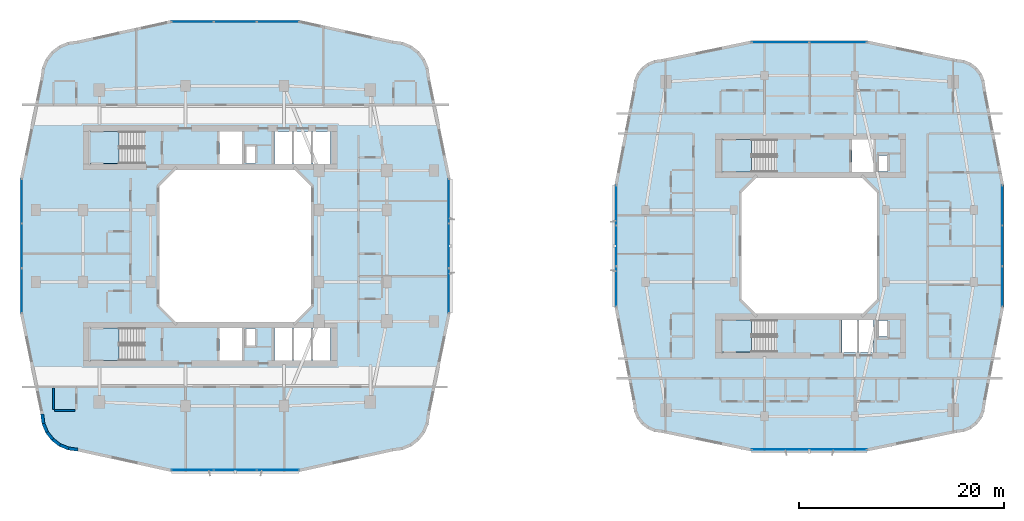
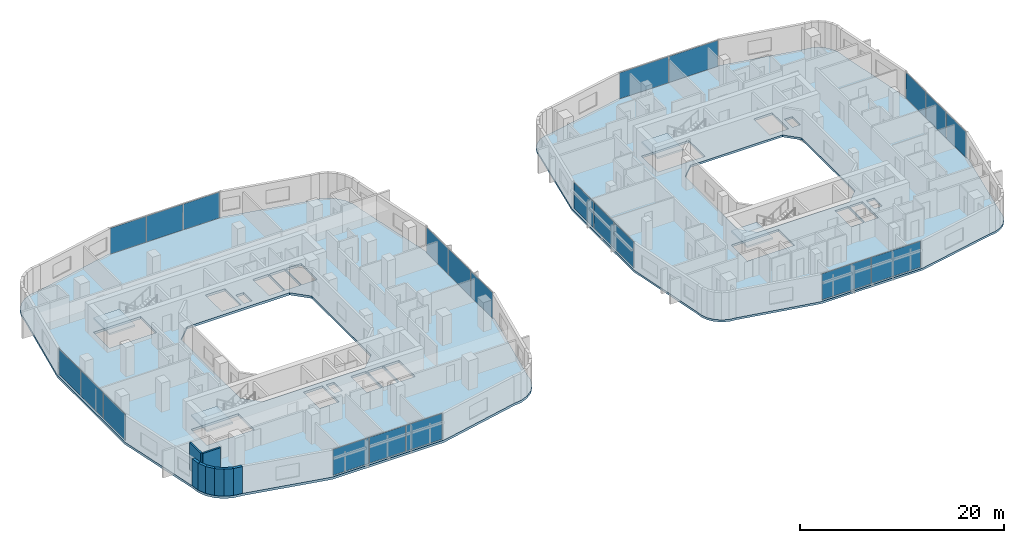
# One storey, part 12 of 26: 22 plates, 8 walls, 6 slabs, 12 elements without a shape of their own.
"""IFC4 building model written with IfcOpenShell, lengths in metres."""

from ifc_helpers import new_model, si_unit, derived_unit, direction, frame, frame_2d, origin, origin_2d, place, context, subcontext, project, spatial, polyline, rectangle, outline, extrude, material, layer, layer_set, type_object, element, aggregate, save


model = new_model("IFC4")

# Units and contexts
model_context = context("Model", 3, precision=1e-05, world=origin(), true_north=direction((0.0, 1.0)))
body_context = subcontext(model_context, "Body", "Model", "MODEL_VIEW")
ifc_project = project(units=[si_unit("LENGTHUNIT", "METRE"), si_unit("AREAUNIT", "SQUARE_METRE"), si_unit("VOLUMEUNIT", "CUBIC_METRE"), si_unit("PLANEANGLEUNIT", "RADIAN"), si_unit("MASSUNIT", "GRAM", prefix="KILO"), derived_unit("THERMALTRANSMITTANCEUNIT", [(si_unit("POWERUNIT", "WATT"), 1), (si_unit("LENGTHUNIT", "METRE"), -2), (si_unit("THERMODYNAMICTEMPERATUREUNIT", "KELVIN"), -1)])], contexts=[model_context])

# Site, building, storey
site_placement = place(None, origin())
site = spatial("IfcSite", under=ifc_project, at=site_placement, CompositionType="ELEMENT")
building_placement = place(site_placement, origin())
building = spatial("IfcBuilding", under=site, at=building_placement, Name="Kivonza Crest Hotel", CompositionType="ELEMENT")
storey_placement = place(building_placement, frame((0.0, 0.0, 55.5)))
storey = spatial("IfcBuildingStorey", under=building, at=storey_placement, Name="L14", CompositionType="ELEMENT", Elevation=55.5)

# Curtain wall, plates
ifc_material_1 = material(Name="Anodised bronze aluminium and low-E double glazing", Category="aluminium")
ifc_layer_1 = layer(ifc_material_1, 0.179931640625)
ifc_layer_set_1 = layer_set([ifc_layer_1], Name="Anodised bronze aluminium and low-E double glazing")
curtain_wall_type_1 = type_object("IfcCurtainWallType", Name="CW-SYS-2", PredefinedType="NOTDEFINED", material=ifc_layer_set_1)
curtain_wall_1_placement = place(storey_placement, origin())
curtain_wall_1 = element("IfcCurtainWall", 1, at=curtain_wall_1_placement, inside=storey, type_object=curtain_wall_type_1, Name="L14 unitised curtain wall CW-T1-L14-08", PredefinedType="NOTDEFINED")
ifc_material_2 = material(Name="Solar-control low-E double glazing", Category="glass")
ifc_layer_2 = layer(ifc_material_2, 0.028076171875)
ifc_layer_set_2 = layer_set([ifc_layer_2], Name="Solar-control low-E double glazing")
plate_type = type_object("IfcPlateType", Name="CW-PNL-28", PredefinedType="CURTAIN_PANEL", material=ifc_layer_set_2)
plate_1_placement = place(storey_placement, frame((16.890869140625, 3.159912109375, 0.06494140625), z_axis=(0.0, 0.0, 1.0), x_axis=(1.0, 0.0, 0.0)))
plate_1 = element("IfcPlate", 2, at=plate_1_placement, type_object=plate_type, Name="CW-2 panel 1.1", PredefinedType="CURTAIN_PANEL", context=body_context, shape_type="SweptSolid", body=[
    extrude(rectangle(XDim=4.06787109375, YDim=0.028076171875, at=origin_2d()), origin(), (0.0, 0.0, 1.0), 3.090087890625),
])
plate_2_placement = place(storey_placement, frame((21.0400390625, 3.159912109375, 0.06494140625), z_axis=(0.0, 0.0, 1.0), x_axis=(1.0, 0.0, 0.0)))
plate_2 = element("IfcPlate", 3, at=plate_2_placement, type_object=plate_type, Name="CW-2 panel 2.1", PredefinedType="CURTAIN_PANEL", context=body_context, shape_type="SweptSolid", body=[
    extrude(rectangle(XDim=4.100341796875, YDim=0.028076171875, at=origin_2d()), origin(), (0.0, 0.0, 1.0), 3.090087890625),
])
plate_3_placement = place(storey_placement, frame((25.18896484375, 3.159912109375, 0.06494140625), z_axis=(0.0, 0.0, 1.0), x_axis=(1.0, 0.0, 0.0)))
plate_3 = element("IfcPlate", 4, at=plate_3_placement, type_object=plate_type, Name="CW-2 panel 3.1", PredefinedType="CURTAIN_PANEL", context=body_context, shape_type="SweptSolid", body=[
    extrude(rectangle(XDim=4.06787109375, YDim=0.028076171875, at=origin_2d()), origin(), (0.0, 0.0, 1.0), 3.090087890625),
])
aggregate(curtain_wall_1, [plate_1, plate_2, plate_3])

curtain_wall_2_placement = place(storey_placement, origin())
curtain_wall_2 = element("IfcCurtainWall", 5, at=curtain_wall_2_placement, inside=storey, type_object=curtain_wall_type_1, Name="L14 unitised curtain wall CW-T1-L14-17", PredefinedType="NOTDEFINED")
plate_4_placement = place(storey_placement, frame((41.840087890625, 20.642822265625, 0.06494140625), z_axis=(0.0, 0.0, 1.0), x_axis=(0.0, 1.0, 0.0)))
plate_4 = element("IfcPlate", 6, at=plate_4_placement, type_object=plate_type, Name="CW-2 panel 1.1", PredefinedType="CURTAIN_PANEL", context=body_context, shape_type="SweptSolid", body=[
    extrude(rectangle(XDim=4.27587890625, YDim=0.028076171875, at=origin_2d()), origin(), (0.0, 0.0, 1.0), 3.090087890625),
])
plate_5_placement = place(storey_placement, frame((41.840087890625, 25.0, 0.06494140625), z_axis=(0.0, 0.0, 1.0), x_axis=(0.0, 1.0, 0.0)))
plate_5 = element("IfcPlate", 7, at=plate_5_placement, type_object=plate_type, Name="CW-2 panel 2.1", PredefinedType="CURTAIN_PANEL", context=body_context, shape_type="SweptSolid", body=[
    extrude(rectangle(XDim=4.308349609375, YDim=0.028076171875, at=origin_2d()), origin(), (0.0, 0.0, 1.0), 3.090087890625),
])
plate_6_placement = place(storey_placement, frame((41.840087890625, 29.357177734375, 0.06494140625), z_axis=(0.0, 0.0, 1.0), x_axis=(0.0, 1.0, 0.0)))
plate_6 = element("IfcPlate", 8, at=plate_6_placement, type_object=plate_type, Name="CW-2 panel 3.1", PredefinedType="CURTAIN_PANEL", context=body_context, shape_type="SweptSolid", body=[
    extrude(rectangle(XDim=4.27587890625, YDim=0.028076171875, at=origin_2d()), origin(), (0.0, 0.0, 1.0), 3.090087890625),
])
aggregate(curtain_wall_2, [plate_4, plate_5, plate_6])

curtain_wall_3_placement = place(storey_placement, origin())
curtain_wall_3 = element("IfcCurtainWall", 9, at=curtain_wall_3_placement, inside=storey, type_object=curtain_wall_type_1, Name="L14 unitised curtain wall CW-T1-L14-26", PredefinedType="NOTDEFINED")
plate_7_placement = place(storey_placement, frame((25.18896484375, 46.840087890625, 0.06494140625), z_axis=(0.0, 0.0, 1.0), x_axis=(-1.0, 0.0, 0.0)))
plate_7 = element("IfcPlate", 10, at=plate_7_placement, type_object=plate_type, Name="CW-2 panel 1.1", PredefinedType="CURTAIN_PANEL", context=body_context, shape_type="SweptSolid", body=[
    extrude(rectangle(XDim=4.06787109375, YDim=0.028076171875, at=origin_2d()), origin(), (0.0, 0.0, 1.0), 3.090087890625),
])
plate_8_placement = place(storey_placement, frame((21.0400390625, 46.840087890625, 0.06494140625), z_axis=(0.0, 0.0, 1.0), x_axis=(-1.0, 0.0, 0.0)))
plate_8 = element("IfcPlate", 11, at=plate_8_placement, type_object=plate_type, Name="CW-2 panel 2.1", PredefinedType="CURTAIN_PANEL", context=body_context, shape_type="SweptSolid", body=[
    extrude(rectangle(XDim=4.100341796875, YDim=0.028076171875, at=origin_2d()), origin(), (0.0, 0.0, 1.0), 3.090087890625),
])
plate_9_placement = place(storey_placement, frame((16.890869140625, 46.840087890625, 0.06494140625), z_axis=(0.0, 0.0, 1.0), x_axis=(-1.0, 0.0, 0.0)))
plate_9 = element("IfcPlate", 12, at=plate_9_placement, type_object=plate_type, Name="CW-2 panel 3.1", PredefinedType="CURTAIN_PANEL", context=body_context, shape_type="SweptSolid", body=[
    extrude(rectangle(XDim=4.06787109375, YDim=0.028076171875, at=origin_2d()), origin(), (0.0, 0.0, 1.0), 3.090087890625),
])
aggregate(curtain_wall_3, [plate_7, plate_8, plate_9])

curtain_wall_4_placement = place(storey_placement, origin())
curtain_wall_4 = element("IfcCurtainWall", 13, at=curtain_wall_4_placement, inside=storey, type_object=curtain_wall_type_1, Name="L14 unitised curtain wall CW-T1-L14-35", PredefinedType="NOTDEFINED")
plate_10_placement = place(storey_placement, frame((0.239990234375, 29.357177734375, 0.06494140625), z_axis=(0.0, 0.0, 1.0), x_axis=(0.0, -1.0, 0.0)))
plate_10 = element("IfcPlate", 14, at=plate_10_placement, type_object=plate_type, Name="CW-2 panel 1.1", PredefinedType="CURTAIN_PANEL", context=body_context, shape_type="SweptSolid", body=[
    extrude(rectangle(XDim=4.27587890625, YDim=0.028076171875, at=origin_2d()), origin(), (0.0, 0.0, 1.0), 3.090087890625),
])
plate_11_placement = place(storey_placement, frame((0.239990234375, 25.0, 0.06494140625), z_axis=(0.0, 0.0, 1.0), x_axis=(0.0, -1.0, 0.0)))
plate_11 = element("IfcPlate", 15, at=plate_11_placement, type_object=plate_type, Name="CW-2 panel 2.1", PredefinedType="CURTAIN_PANEL", context=body_context, shape_type="SweptSolid", body=[
    extrude(rectangle(XDim=4.308349609375, YDim=0.028076171875, at=origin_2d()), origin(), (0.0, 0.0, 1.0), 3.090087890625),
])
plate_12_placement = place(storey_placement, frame((0.239990234375, 20.642822265625, 0.06494140625), z_axis=(0.0, 0.0, 1.0), x_axis=(0.0, -1.0, 0.0)))
plate_12 = element("IfcPlate", 16, at=plate_12_placement, type_object=plate_type, Name="CW-2 panel 3.1", PredefinedType="CURTAIN_PANEL", context=body_context, shape_type="SweptSolid", body=[
    extrude(rectangle(XDim=4.27587890625, YDim=0.028076171875, at=origin_2d()), origin(), (0.0, 0.0, 1.0), 3.090087890625),
])
aggregate(curtain_wall_4, [plate_10, plate_11, plate_12])

ifc_layer_3 = layer(ifc_material_1, 0.179931640625)
ifc_layer_set_3 = layer_set([ifc_layer_3], Name="Anodised bronze aluminium and low-E double glazing")
curtain_wall_type_2 = type_object("IfcCurtainWallType", Name="CW-SYS-4", PredefinedType="NOTDEFINED", material=ifc_layer_set_3)
curtain_wall_5_placement = place(storey_placement, origin())
curtain_wall_5 = element("IfcCurtainWall", 17, at=curtain_wall_5_placement, inside=storey, type_object=curtain_wall_type_2, Name="L14 unitised curtain wall CW-T2-L14-08", PredefinedType="NOTDEFINED")
plate_13_placement = place(storey_placement, frame((74.15234375, 5.159912109375, 0.06494140625), z_axis=(0.0, 0.0, 1.0), x_axis=(1.0, 0.0, 0.0)))
plate_13 = element("IfcPlate", 18, at=plate_13_placement, type_object=plate_type, Name="CW-4 panel 1.1", PredefinedType="CURTAIN_PANEL", context=body_context, shape_type="SweptSolid", body=[
    extrude(rectangle(XDim=5.550537109375, YDim=0.028076171875, at=origin_2d()), origin(), (0.0, 0.0, 1.0), 3.1201171875),
])
plate_14_placement = place(storey_placement, frame((79.767822265625, 5.159912109375, 0.06494140625), z_axis=(0.0, 0.0, 1.0), x_axis=(1.0, 0.0, 0.0)))
plate_14 = element("IfcPlate", 19, at=plate_14_placement, type_object=plate_type, Name="CW-4 panel 2.1", PredefinedType="CURTAIN_PANEL", context=body_context, shape_type="SweptSolid", body=[
    extrude(rectangle(XDim=5.550537109375, YDim=0.028076171875, at=origin_2d()), origin(), (0.0, 0.0, 1.0), 3.1201171875),
])
aggregate(curtain_wall_5, [plate_13, plate_14])

curtain_wall_6_placement = place(storey_placement, origin())
curtain_wall_6 = element("IfcCurtainWall", 20, at=curtain_wall_6_placement, inside=storey, type_object=curtain_wall_type_2, Name="L14 unitised curtain wall CW-T2-L14-17", PredefinedType="NOTDEFINED")
plate_15_placement = place(storey_placement, frame((95.760009765625, 21.04296875, 0.06494140625), z_axis=(0.0, 0.0, 1.0), x_axis=(0.0, 1.0, 0.0)))
plate_15 = element("IfcPlate", 21, at=plate_15_placement, type_object=plate_type, Name="CW-4 panel 1.1", PredefinedType="CURTAIN_PANEL", context=body_context, shape_type="SweptSolid", body=[
    extrude(rectangle(XDim=3.875732421875, YDim=0.028076171875, at=origin_2d()), origin(), (0.0, 0.0, 1.0), 3.1201171875),
])
plate_16_placement = place(storey_placement, frame((95.760009765625, 25.0, 0.06494140625), z_axis=(0.0, 0.0, 1.0), x_axis=(0.0, 1.0, 0.0)))
plate_16 = element("IfcPlate", 22, at=plate_16_placement, type_object=plate_type, Name="CW-4 panel 2.1", PredefinedType="CURTAIN_PANEL", context=body_context, shape_type="SweptSolid", body=[
    extrude(rectangle(XDim=3.908447265625, YDim=0.028076171875, at=origin_2d()), origin(), (0.0, 0.0, 1.0), 3.1201171875),
])
plate_17_placement = place(storey_placement, frame((95.760009765625, 28.95703125, 0.06494140625), z_axis=(0.0, 0.0, 1.0), x_axis=(0.0, 1.0, 0.0)))
plate_17 = element("IfcPlate", 23, at=plate_17_placement, type_object=plate_type, Name="CW-4 panel 3.1", PredefinedType="CURTAIN_PANEL", context=body_context, shape_type="SweptSolid", body=[
    extrude(rectangle(XDim=3.875732421875, YDim=0.028076171875, at=origin_2d()), origin(), (0.0, 0.0, 1.0), 3.1201171875),
])
aggregate(curtain_wall_6, [plate_15, plate_16, plate_17])

curtain_wall_7_placement = place(storey_placement, origin())
curtain_wall_7 = element("IfcCurtainWall", 24, at=curtain_wall_7_placement, inside=storey, type_object=curtain_wall_type_2, Name="L14 unitised curtain wall CW-T2-L14-26", PredefinedType="NOTDEFINED")
plate_18_placement = place(storey_placement, frame((79.767822265625, 44.840087890625, 0.06494140625), z_axis=(0.0, 0.0, 1.0), x_axis=(-1.0, 0.0, 0.0)))
plate_18 = element("IfcPlate", 25, at=plate_18_placement, type_object=plate_type, Name="CW-4 panel 1.1", PredefinedType="CURTAIN_PANEL", context=body_context, shape_type="SweptSolid", body=[
    extrude(rectangle(XDim=5.550537109375, YDim=0.028076171875, at=origin_2d()), origin(), (0.0, 0.0, 1.0), 3.1201171875),
])
plate_19_placement = place(storey_placement, frame((74.15234375, 44.840087890625, 0.06494140625), z_axis=(0.0, 0.0, 1.0), x_axis=(-1.0, 0.0, 0.0)))
plate_19 = element("IfcPlate", 26, at=plate_19_placement, type_object=plate_type, Name="CW-4 panel 2.1", PredefinedType="CURTAIN_PANEL", context=body_context, shape_type="SweptSolid", body=[
    extrude(rectangle(XDim=5.550537109375, YDim=0.028076171875, at=origin_2d()), origin(), (0.0, 0.0, 1.0), 3.1201171875),
])
aggregate(curtain_wall_7, [plate_18, plate_19])

curtain_wall_8_placement = place(storey_placement, origin())
curtain_wall_8 = element("IfcCurtainWall", 27, at=curtain_wall_8_placement, inside=storey, type_object=curtain_wall_type_2, Name="L14 unitised curtain wall CW-T2-L14-35", PredefinedType="NOTDEFINED")
plate_20_placement = place(storey_placement, frame((58.159912109375, 28.95703125, 0.06494140625), z_axis=(0.0, 0.0, 1.0), x_axis=(0.0, -1.0, 0.0)))
plate_20 = element("IfcPlate", 28, at=plate_20_placement, type_object=plate_type, Name="CW-4 panel 1.1", PredefinedType="CURTAIN_PANEL", context=body_context, shape_type="SweptSolid", body=[
    extrude(rectangle(XDim=3.875732421875, YDim=0.028076171875, at=origin_2d()), origin(), (0.0, 0.0, 1.0), 3.1201171875),
])
plate_21_placement = place(storey_placement, frame((58.159912109375, 25.0, 0.06494140625), z_axis=(0.0, 0.0, 1.0), x_axis=(0.0, -1.0, 0.0)))
plate_21 = element("IfcPlate", 29, at=plate_21_placement, type_object=plate_type, Name="CW-4 panel 2.1", PredefinedType="CURTAIN_PANEL", context=body_context, shape_type="SweptSolid", body=[
    extrude(rectangle(XDim=3.908447265625, YDim=0.028076171875, at=origin_2d()), origin(), (0.0, 0.0, 1.0), 3.1201171875),
])
plate_22_placement = place(storey_placement, frame((58.159912109375, 21.04296875, 0.06494140625), z_axis=(0.0, 0.0, 1.0), x_axis=(0.0, -1.0, 0.0)))
plate_22 = element("IfcPlate", 30, at=plate_22_placement, type_object=plate_type, Name="CW-4 panel 3.1", PredefinedType="CURTAIN_PANEL", context=body_context, shape_type="SweptSolid", body=[
    extrude(rectangle(XDim=3.875732421875, YDim=0.028076171875, at=origin_2d()), origin(), (0.0, 0.0, 1.0), 3.1201171875),
])
aggregate(curtain_wall_8, [plate_20, plate_21, plate_22])

# Slab
ifc_material_3 = material(Name="Concrete C40/50", Category="concrete")
ifc_layer_4 = layer(ifc_material_3, 0.280029296875)
ifc_layer_set_4 = layer_set([ifc_layer_4], Name="Concrete C40/50")
slab_type_1 = type_object("IfcSlabType", Name="SL-HTL-280", PredefinedType="FLOOR", material=ifc_layer_set_4)
slab_1_placement = place(storey_placement, frame((0.0, 0.0, -0.280029296875)))
element("IfcSlab", 31, at=slab_1_placement, inside=storey, type_object=slab_type_1, Name="Tower T1 L14 floor slab", PredefinedType="FLOOR", context=body_context, shape_type="SweptSolid", body=[
    extrude(outline(polyline([(2.080078125, 8.60009765625), (2.202880859375, 7.66796875), (2.56201171875, 6.800048828125), (3.134033203125, 6.053955078125), (3.8798828125, 5.48193359375), (4.748046875, 5.123046875), (5.679931640625, 5.0), (14.751953125, 3.0), (27.327880859375, 3.0), (36.39990234375, 5.0), (37.33203125, 5.123046875), (38.199951171875, 5.48193359375), (38.946044921875, 6.053955078125), (39.51806640625, 6.800048828125), (39.876953125, 7.66796875), (40.0, 8.60009765625), (42.0, 18.39990234375), (42.0, 31.60009765625), (40.0, 41.39990234375), (39.876953125, 42.33203125), (39.51806640625, 43.199951171875), (38.946044921875, 43.946044921875), (38.199951171875, 44.51806640625), (37.33203125, 44.876953125), (36.39990234375, 45.0), (27.327880859375, 47.0), (14.751953125, 47.0), (5.679931640625, 45.0), (4.748046875, 44.876953125), (3.8798828125, 44.51806640625), (3.134033203125, 43.946044921875), (2.56201171875, 43.199951171875), (2.202880859375, 42.33203125), (2.080078125, 41.39990234375), (0.080078125, 31.60009765625), (0.080078125, 18.39990234375), (2.080078125, 8.60009765625)]), holes=[polyline([(15.239990234375, 17.60009765625), (26.840087890625, 17.60009765625), (28.43994140625, 19.199951171875), (28.43994140625, 30.800048828125), (26.840087890625, 32.39990234375), (15.239990234375, 32.39990234375), (13.639892578125, 30.800048828125), (13.639892578125, 19.199951171875), (15.239990234375, 17.60009765625)]), polyline([(6.800048828125, 33.02001953125), (12.159912109375, 33.02001953125), (12.159912109375, 36.159912109375), (6.800048828125, 36.159912109375), (6.800048828125, 33.02001953125)]), polyline([(6.800048828125, 13.860107421875), (12.159912109375, 13.860107421875), (12.159912109375, 17.0), (6.800048828125, 17.0), (6.800048828125, 13.860107421875)]), polyline([(22.080078125, 33.0400390625), (22.969970703125, 33.0400390625), (22.969970703125, 34.679931640625), (22.080078125, 34.679931640625), (22.080078125, 33.0400390625)]), polyline([(22.080078125, 15.320068359375), (22.969970703125, 15.320068359375), (22.969970703125, 16.9599609375), (22.080078125, 16.9599609375), (22.080078125, 15.320068359375)]), polyline([(19.5, 33.0), (21.699951171875, 33.0), (21.699951171875, 36.159912109375), (19.5, 36.159912109375), (19.5, 33.0)]), polyline([(24.860107421875, 33.0), (26.60693359375, 33.0), (26.60693359375, 36.159912109375), (24.860107421875, 36.159912109375), (24.860107421875, 33.0)]), polyline([(26.72705078125, 33.0), (28.472900390625, 33.0), (28.472900390625, 36.159912109375), (26.72705078125, 36.159912109375), (26.72705078125, 33.0)]), polyline([(28.593017578125, 33.0), (30.340087890625, 33.0), (30.340087890625, 36.159912109375), (28.593017578125, 36.159912109375), (28.593017578125, 33.0)]), polyline([(19.5, 13.840087890625), (21.699951171875, 13.840087890625), (21.699951171875, 17.0), (19.5, 17.0), (19.5, 13.840087890625)]), polyline([(24.860107421875, 13.840087890625), (26.60693359375, 13.840087890625), (26.60693359375, 17.0), (24.860107421875, 17.0), (24.860107421875, 13.840087890625)]), polyline([(26.72705078125, 13.840087890625), (28.472900390625, 13.840087890625), (28.472900390625, 17.0), (26.72705078125, 17.0), (26.72705078125, 13.840087890625)]), polyline([(28.593017578125, 13.840087890625), (30.340087890625, 13.840087890625), (30.340087890625, 17.0), (28.593017578125, 17.0), (28.593017578125, 13.840087890625)])]), origin(), (0.0, 0.0, 1.0), 0.280029296875),
])

# Stair, slab
stair_type = type_object("IfcStairType", Name="ST-DL-20R", PredefinedType="HALF_TURN_STAIR", material=ifc_material_3)
stair_1_placement = place(storey_placement, origin())
stair_1 = element("IfcStair", 32, at=stair_1_placement, inside=storey, type_object=stair_type, Name="L14 Protected Exit Stair ST-T1-N", PredefinedType="HALF_TURN_STAIR")
ifc_layer_5 = layer(ifc_material_3, 0.199951171875)
ifc_layer_set_5 = layer_set([ifc_layer_5], Name="Concrete C40/50")
slab_type_2 = type_object("IfcSlabType", Name="SL-LAND-200", PredefinedType="LANDING", material=ifc_layer_set_5)
slab_2_placement = place(storey_placement, frame((0.0, 0.0, 1.550048828125)))
slab_2 = element("IfcSlab", 33, at=slab_2_placement, type_object=slab_type_2, Name="ST-T1-N landing 1", PredefinedType="LANDING", context=body_context, shape_type="SweptSolid", body=[
    extrude(outline(polyline([(9.719970703125, 36.159912109375), (6.800048828125, 36.159912109375), (6.800048828125, 33.02001953125), (9.719970703125, 33.02001953125), (9.719970703125, 36.159912109375)])), origin(), (0.0, 0.0, 1.0), 0.199951171875),
])
aggregate(stair_1, [slab_2])

stair_2_placement = place(storey_placement, origin())
stair_2 = element("IfcStair", 34, at=stair_2_placement, inside=storey, type_object=stair_type, Name="L14 Protected Exit Stair ST-T1-S", PredefinedType="HALF_TURN_STAIR")
slab_3_placement = place(storey_placement, frame((0.0, 0.0, 1.550048828125)))
slab_3 = element("IfcSlab", 35, at=slab_3_placement, type_object=slab_type_2, Name="ST-T1-S landing 1", PredefinedType="LANDING", context=body_context, shape_type="SweptSolid", body=[
    extrude(outline(polyline([(9.719970703125, 17.0), (6.800048828125, 17.0), (6.800048828125, 13.860107421875), (9.719970703125, 13.860107421875), (9.719970703125, 17.0)])), origin(), (0.0, 0.0, 1.0), 0.199951171875),
])
aggregate(stair_2, [slab_3])

stair_3_placement = place(storey_placement, origin())
stair_3 = element("IfcStair", 36, at=stair_3_placement, inside=storey, type_object=stair_type, Name="L14 Protected Exit Stair ST-T2-N", PredefinedType="HALF_TURN_STAIR")
slab_4_placement = place(storey_placement, frame((0.0, 0.0, 1.550048828125)))
slab_4 = element("IfcSlab", 37, at=slab_4_placement, type_object=slab_type_2, Name="ST-T2-N landing 1", PredefinedType="LANDING", context=body_context, shape_type="SweptSolid", body=[
    extrude(outline(polyline([(71.320068359375, 35.360107421875), (68.39990234375, 35.360107421875), (68.39990234375, 32.219970703125), (71.320068359375, 32.219970703125), (71.320068359375, 35.360107421875)])), origin(), (0.0, 0.0, 1.0), 0.199951171875),
])
aggregate(stair_3, [slab_4])

stair_4_placement = place(storey_placement, origin())
stair_4 = element("IfcStair", 38, at=stair_4_placement, inside=storey, type_object=stair_type, Name="L14 Protected Exit Stair ST-T2-S", PredefinedType="HALF_TURN_STAIR")
slab_5_placement = place(storey_placement, frame((0.0, 0.0, 1.550048828125)))
slab_5 = element("IfcSlab", 39, at=slab_5_placement, type_object=slab_type_2, Name="ST-T2-S landing 1", PredefinedType="LANDING", context=body_context, shape_type="SweptSolid", body=[
    extrude(outline(polyline([(71.320068359375, 17.800048828125), (68.39990234375, 17.800048828125), (68.39990234375, 14.659912109375), (71.320068359375, 14.659912109375), (71.320068359375, 17.800048828125)])), origin(), (0.0, 0.0, 1.0), 0.199951171875),
])
aggregate(stair_4, [slab_5])

# Slab
ifc_layer_6 = layer(ifc_material_3, 0.25)
ifc_layer_set_6 = layer_set([ifc_layer_6], Name="Concrete C40/50")
slab_type_3 = type_object("IfcSlabType", Name="SL-RES-250", PredefinedType="FLOOR", material=ifc_layer_set_6)
slab_6_placement = place(storey_placement, frame((0.0, 0.0, -0.25)))
element("IfcSlab", 40, at=slab_6_placement, inside=storey, type_object=slab_type_3, Name="Companion Tower T2 L14 floor slab", PredefinedType="FLOOR", context=body_context, shape_type="SweptSolid", body=[
    extrude(outline(polyline([(59.800048828125, 9.60009765625), (59.89501953125, 8.875), (60.175048828125, 8.199951171875), (60.6201171875, 7.6201171875), (61.199951171875, 7.175048828125), (61.875, 6.89501953125), (62.60009765625, 6.800048828125), (71.27197265625, 5.0), (82.64794921875, 5.0), (91.320068359375, 6.800048828125), (92.044921875, 6.89501953125), (92.719970703125, 7.175048828125), (93.300048828125, 7.6201171875), (93.7451171875, 8.199951171875), (94.02490234375, 8.875), (94.1201171875, 9.60009765625), (95.919921875, 19.0), (95.919921875, 31.0), (94.1201171875, 40.39990234375), (94.02490234375, 41.125), (93.7451171875, 41.800048828125), (93.300048828125, 42.3798828125), (92.719970703125, 42.824951171875), (92.044921875, 43.10498046875), (91.320068359375, 43.199951171875), (82.64794921875, 45.0), (71.27197265625, 45.0), (62.60009765625, 43.199951171875), (61.875, 43.10498046875), (61.199951171875, 42.824951171875), (60.6201171875, 42.3798828125), (60.175048828125, 41.800048828125), (59.89501953125, 41.125), (59.800048828125, 40.39990234375), (58.0, 31.0), (58.0, 19.0), (59.800048828125, 9.60009765625)]), holes=[polyline([(71.760009765625, 18.39990234375), (82.159912109375, 18.39990234375), (83.56005859375, 19.800048828125), (83.56005859375, 30.199951171875), (82.159912109375, 31.60009765625), (71.760009765625, 31.60009765625), (70.360107421875, 30.199951171875), (70.360107421875, 19.800048828125), (71.760009765625, 18.39990234375)]), polyline([(68.39990234375, 32.219970703125), (73.760009765625, 32.219970703125), (73.760009765625, 35.360107421875), (68.39990234375, 35.360107421875), (68.39990234375, 32.219970703125)]), polyline([(68.39990234375, 14.659912109375), (73.760009765625, 14.659912109375), (73.760009765625, 17.800048828125), (68.39990234375, 17.800048828125), (68.39990234375, 14.659912109375)]), polyline([(83.679931640625, 32.239990234375), (84.570068359375, 32.239990234375), (84.570068359375, 33.820068359375), (83.679931640625, 33.820068359375), (83.679931640625, 32.239990234375)]), polyline([(83.679931640625, 16.179931640625), (84.570068359375, 16.179931640625), (84.570068359375, 17.760009765625), (83.679931640625, 17.760009765625), (83.679931640625, 16.179931640625)]), polyline([(81.10009765625, 32.199951171875), (83.199951171875, 32.199951171875), (83.199951171875, 35.360107421875), (81.10009765625, 35.360107421875), (81.10009765625, 32.199951171875)]), polyline([(80.159912109375, 14.639892578125), (81.639892578125, 14.639892578125), (81.639892578125, 17.800048828125), (80.159912109375, 17.800048828125), (80.159912109375, 14.639892578125)]), polyline([(81.760009765625, 14.639892578125), (83.239990234375, 14.639892578125), (83.239990234375, 17.800048828125), (81.760009765625, 17.800048828125), (81.760009765625, 14.639892578125)])]), origin(), (0.0, 0.0, 1.0), 0.25),
])

# Walls
ifc_material_4 = material(Name="Precast concrete C40/50", Category="concrete")
ifc_layer_7 = layer(ifc_material_4, 0.300048828125)
ifc_layer_set_7 = layer_set([ifc_layer_7], Name="Precast concrete C40/50")
wall_type_1 = type_object("IfcWallType", Name="WL-EXT-300", PredefinedType="STANDARD", material=ifc_layer_set_7)
wall_1_placement = place(storey_placement, frame((2.22802734375, 8.6279296875, 0.0), z_axis=(0.0, 0.0, 1.0), x_axis=(0.131174864804, -0.991359246108, 0.0)))
element("IfcWall", 41, at=wall_1_placement, inside=storey, type_object=wall_type_1, Name="L14 T1 exterior insulated wall 1", PredefinedType="STANDARD", context=body_context, shape_type="SweptSolid", body=[
    extrude(rectangle(XDim=0.93798828125, YDim=0.300048828125, at=frame_2d((0.468994140625, 0.0))), origin(), (0.0, 0.0, 1.0), 3.219970703125),
])
wall_2_placement = place(storey_placement, frame((2.33203125, 7.748046875, 0.0), z_axis=(0.0, 0.0, 1.0), x_axis=(0.382344263057, -0.924019948111, 0.0)))
element("IfcWall", 42, at=wall_2_placement, inside=storey, type_object=wall_type_1, Name="L14 T1 exterior insulated wall 2", PredefinedType="STANDARD", context=body_context, shape_type="SweptSolid", body=[
    extrude(rectangle(XDim=0.95458984375, YDim=0.300048828125, at=frame_2d((0.477294921875, 0.0))), origin(), (0.0, 0.0, 1.0), 3.219970703125),
])
for number, where, z_axis, x_axis, name in (
    (43, (2.666015625, 6.910888671875, 0.0), (0.0, 0.0, 1.0), (0.608474481025, -0.793573440799, 0.0), "L14 T1 exterior insulated wall 3"),
    (44, (3.205078125, 6.18798828125, 0.0), (0.0, 0.0, 1.0), (0.793573440799, -0.608474481025, 0.0), "L14 T1 exterior insulated wall 4"),
):
    element("IfcWall", number, at=place(storey_placement, frame(where, z_axis=z_axis, x_axis=x_axis)), inside=storey, type_object=wall_type_1, Name=name, PredefinedType="STANDARD", context=body_context, shape_type="SweptSolid", body=[
        extrude(rectangle(XDim=0.954833984375, YDim=0.300048828125, at=frame_2d((0.4775390625, 0.0))), origin(), (0.0, 0.0, 1.0), 3.219970703125),
    ])
wall_3_placement = place(storey_placement, frame((3.9140625, 5.631103515625, 0.0), z_axis=(0.0, 0.0, 1.0), x_axis=(0.923982547689, -0.382434636986, 0.0)))
element("IfcWall", 45, at=wall_3_placement, inside=storey, type_object=wall_type_1, Name="L14 T1 exterior insulated wall 5", PredefinedType="STANDARD", context=body_context, shape_type="SweptSolid", body=[
    extrude(rectangle(XDim=0.954345703125, YDim=0.300048828125, at=frame_2d((0.47705078125, 0.0))), origin(), (0.0, 0.0, 1.0), 3.219970703125),
])
wall_4_placement = place(storey_placement, frame((4.742919921875, 5.27490234375, 0.0), z_axis=(0.0, 0.0, 1.0), x_axis=(0.99145856342, -0.130422072598, 0.0)))
element("IfcWall", 46, at=wall_4_placement, inside=storey, type_object=wall_type_1, Name="L14 T1 exterior insulated wall 6", PredefinedType="STANDARD", context=body_context, shape_type="SweptSolid", body=[
    extrude(rectangle(XDim=0.973388671875, YDim=0.300048828125, at=frame_2d((0.48681640625, 0.0))), origin(), (0.0, 0.0, 1.0), 3.219970703125),
])
ifc_material_5 = material(Name="Moisture-resistant plumbing chase partition wall", Category="gypsum")
ifc_layer_8 = layer(ifc_material_5, 0.199951171875)
ifc_layer_set_8 = layer_set([ifc_layer_8], Name="Moisture-resistant plumbing chase partition wall")
wall_type_2 = type_object("IfcWallType", Name="WL-PLUMB-200", PredefinedType="PLUMBINGWALL", material=ifc_layer_set_8)
wall_5_placement = place(storey_placement, frame((3.449951171875, 8.949951171875, 0.0), z_axis=(0.0, 0.0, 1.0), x_axis=(1.0, 0.0, 0.0)))
element("IfcWall", 47, at=wall_5_placement, inside=storey, type_object=wall_type_2, Name="L14 interior partition WW-L14-S03-BH", PredefinedType="PLUMBINGWALL", context=body_context, shape_type="SweptSolid", body=[
    extrude(rectangle(XDim=2.0, YDim=0.199951171875, at=frame_2d((1.0, 0.0))), origin(), (0.0, 0.0, 1.0), 3.219970703125),
])
wall_6_placement = place(storey_placement, frame((3.35009765625, 9.050048828125, 0.0), z_axis=(0.0, 0.0, 1.0), x_axis=(0.0, 1.0, 0.0)))
element("IfcWall", 48, at=wall_6_placement, inside=storey, type_object=wall_type_2, Name="L14 interior partition WW-L14-S03-BVW", PredefinedType="PLUMBINGWALL", context=body_context, shape_type="SweptSolid", body=[
    extrude(rectangle(XDim=2.099853515625, YDim=0.199951171875, at=frame_2d((1.0498046875, 0.0))), origin(), (0.0, 0.0, 1.0), 3.219970703125),
])

save(model, "model.ifc")
